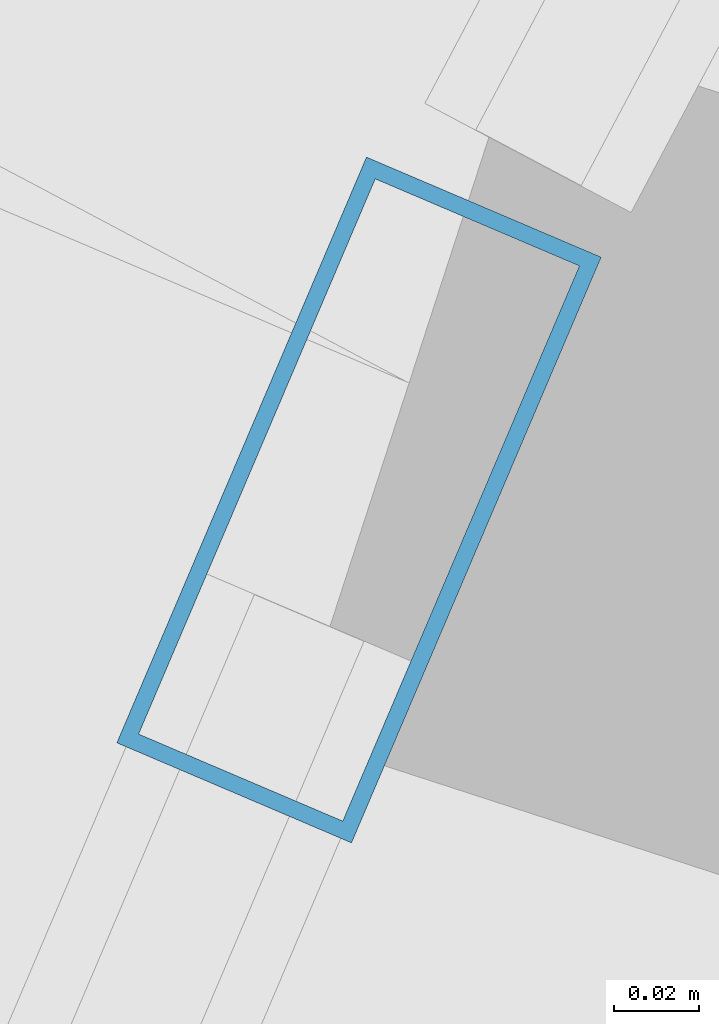
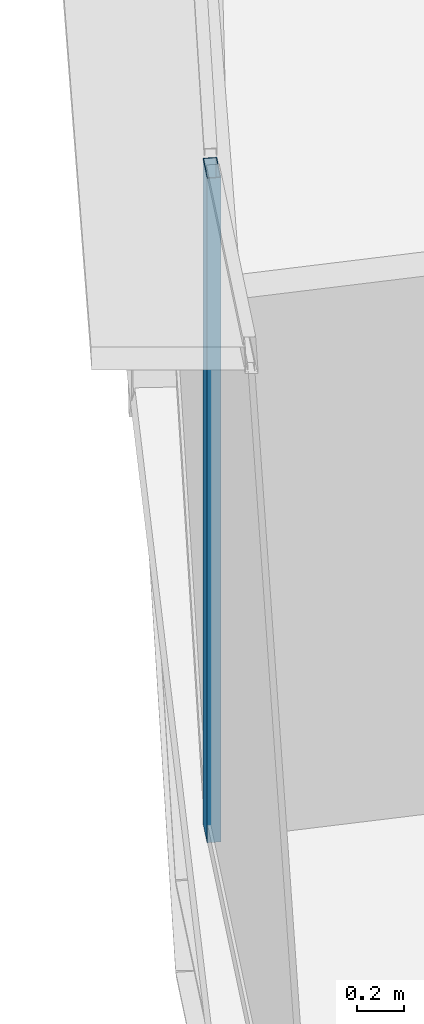
# One storey, part 8 of 42: 1 member, 1 element without a shape of its own.
"""IFC4 building model written with IfcOpenShell, lengths in metres."""

from ifc_helpers import new_model, si_unit, direction, frame, origin, origin_2d, place, context, subcontext, project, spatial, hollow_rectangle, extrude, source, transform, mapped, material, layer, layer_set, material_profile, profile_set, type_object, element, aggregate, save


model = new_model("IFC4")

# Units and contexts
model_context = context("Model", 3, precision=1e-05, world=origin(), true_north=direction((0.0, 1.0)))
body_context = subcontext(model_context, "Body", "Model", "MODEL_VIEW")
ifc_project = project(units=[si_unit("LENGTHUNIT", "METRE"), si_unit("AREAUNIT", "SQUARE_METRE"), si_unit("VOLUMEUNIT", "CUBIC_METRE"), si_unit("PLANEANGLEUNIT", "RADIAN"), si_unit("MASSUNIT", "GRAM", prefix="KILO"), si_unit("THERMODYNAMICTEMPERATUREUNIT", "KELVIN"), si_unit("POWERUNIT", "WATT")], contexts=[model_context])

# Site, building, storey
site_placement = place(None, origin())
site = spatial("IfcSite", under=ifc_project, at=site_placement, CompositionType="ELEMENT")
building_placement = place(site_placement, origin())
building = spatial("IfcBuilding", under=site, at=building_placement, Name="Yunzhuo Pagoda Commons", CompositionType="ELEMENT")
storey_placement = place(building_placement, frame((0.0, 0.0, 133.510009765625)))
storey = spatial("IfcBuildingStorey", under=building, at=storey_placement, Name="L33", CompositionType="ELEMENT", Elevation=133.510009765625)

# Curtain wall, member
ifc_material = material(Name="Anodized aluminium 6063-T6", Category="aluminium")
ifc_layer = layer(ifc_material, 0.14990234375)
ifc_layer_set = layer_set([ifc_layer], Name="Anodized aluminium 6063-T6")
curtain_wall_type = type_object("IfcCurtainWallType", Name="CW-MID Mid-Zone Ribbon Curtain Wall", PredefinedType="NOTDEFINED", material=ifc_layer_set)
curtain_wall_placement = place(storey_placement, origin())
curtain_wall = element("IfcCurtainWall", 1, at=curtain_wall_placement, inside=storey, type_object=curtain_wall_type, Name="L33 curtain wall CW-L33-F3B4", PredefinedType="NOTDEFINED")
ifc_material_profile = material_profile(ifc_material, hollow_rectangle(XDim=0.06005859375, YDim=0.14990234375, WallThickness=0.00390625, at=origin_2d()), Name="Anodized aluminium 6063-T6")
ifc_profile_set = profile_set([ifc_material_profile], Name="Anodized aluminium 6063-T6")
member_type = type_object("IfcMemberType", Name="CW-MID-M Mullion RHS 150x60x4", PredefinedType="MULLION", material=ifc_profile_set)
shared_shape = source(origin(), body_context, "Body", "SweptSolid", [
    extrude(hollow_rectangle(XDim=0.06005859375, YDim=0.14990234375, WallThickness=0.00390625, at=origin_2d()), origin(), (0.0, 0.0, 1.0), 3.419921875),
])
member_placement = place(storey_placement, frame((16.267822265625, 43.97900390625, 0.0), z_axis=(0.0, 0.0, 1.0), x_axis=(0.919928137274, -0.392087008522, 0.0)))
member = element("IfcMember", 2, at=member_placement, type_object=member_type, Name="CW mullion 1", PredefinedType="MULLION", context=body_context, shape_type="MappedRepresentation", body=[
    mapped(shared_shape, transform((0.0, 0.0, 0.0), scale=1.0)),
])
aggregate(curtain_wall, [member])

save(model, "model.ifc")
